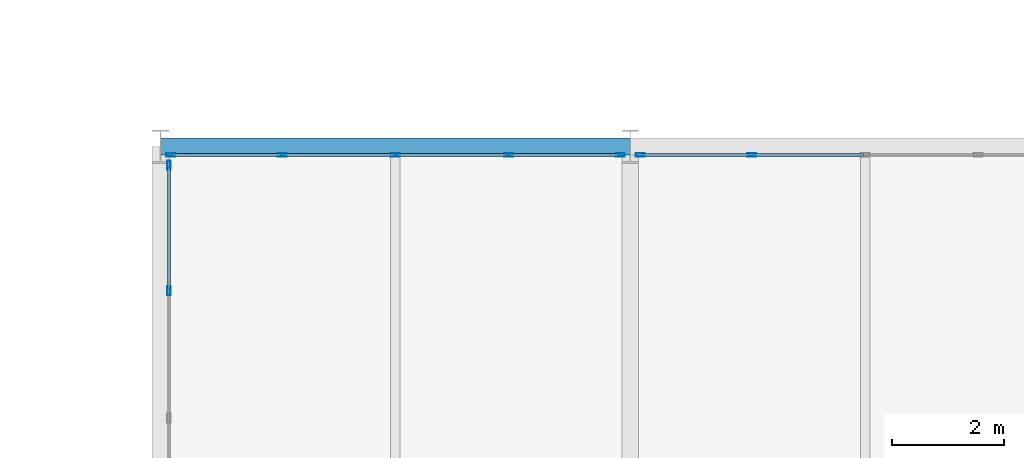
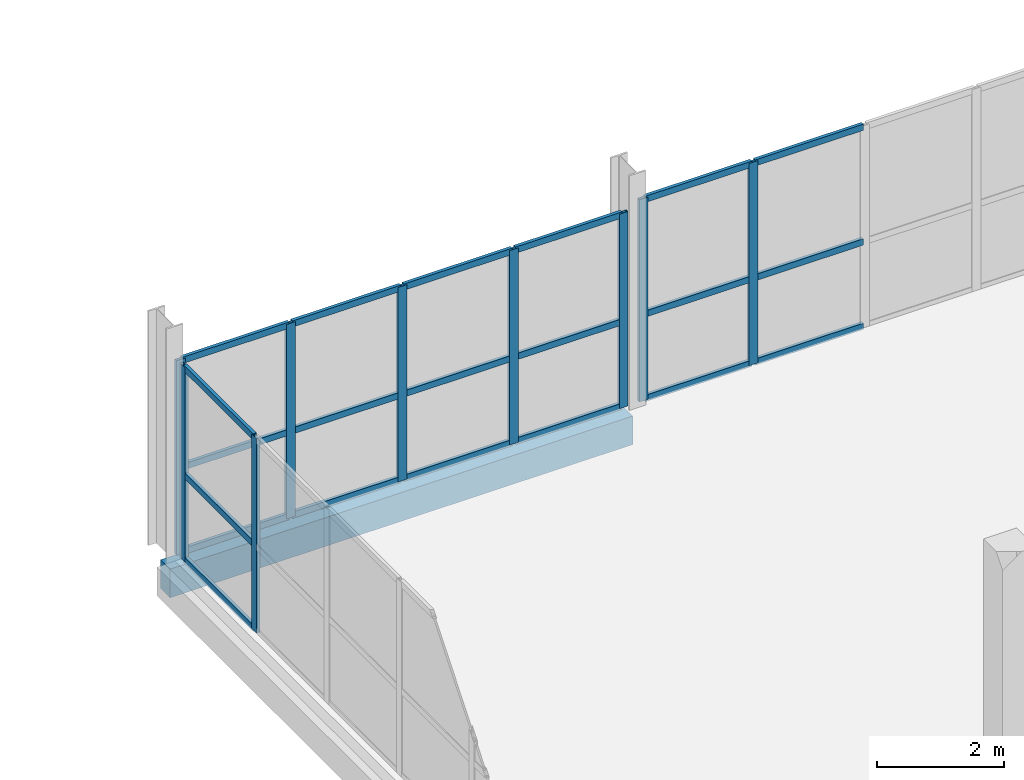
# One storey, part 99 of 130: 30 members, 1 beam, 3 elements without a shape of their own.
"""IFC4 building model written with IfcOpenShell, lengths in metres."""

from ifc_helpers import new_model, si_unit, direction, frame, origin, origin_2d, place, context, subcontext, project, spatial, rectangle, hollow_rectangle, extrude, material, material_profile, profile_set, type_object, element, aggregate, save


model = new_model("IFC4")

# Units and contexts
model_context = context("Model", 3, precision=1e-05, world=origin(), true_north=direction((0.0, 1.0)))
body_context = subcontext(model_context, "Body", "Model", "MODEL_VIEW")
ifc_project = project(units=[si_unit("LENGTHUNIT", "METRE"), si_unit("AREAUNIT", "SQUARE_METRE"), si_unit("VOLUMEUNIT", "CUBIC_METRE"), si_unit("PLANEANGLEUNIT", "RADIAN"), si_unit("MASSUNIT", "GRAM", prefix="KILO")], contexts=[model_context])

# Site, building, storey
site_placement = place(None, origin())
site = spatial("IfcSite", under=ifc_project, at=site_placement, CompositionType="ELEMENT")
building_placement = place(site_placement, origin())
building = spatial("IfcBuilding", under=site, at=building_placement, Name="Veltarok Museum of Natural Sciences", CompositionType="ELEMENT")
storey_placement = place(building_placement, frame((0.0, 0.0, 12.89990234375)))
storey = spatial("IfcBuildingStorey", under=building, at=storey_placement, Name="L02", CompositionType="ELEMENT", Elevation=12.89990234375)

# Curtain wall, members
ifc_material_1 = material(Name="Low-iron triple insulated glass", Category="glass")
curtain_wall_type_1 = type_object("IfcCurtainWallType", Name="Curtain Wall System CW-V5CW-L02-3-1140x373 (CW-V5CW L02 1140x373cm)", PredefinedType="NOTDEFINED", material=ifc_material_1)
curtain_wall_1_placement = place(storey_placement, origin())
curtain_wall_1 = element("IfcCurtainWall", 1, at=curtain_wall_1_placement, inside=storey, type_object=curtain_wall_type_1, Name="Curtain Wall CW-V5CW-L02-3-1140x373 CW-0179", PredefinedType="NOTDEFINED")
ifc_material_2 = material(Name="Thermally broken anodised aluminium", Category="aluminium")
ifc_material_profile_1 = material_profile(ifc_material_2, hollow_rectangle(XDim=0.06005859375, YDim=0.1201171875, WallThickness=0.0048828125, at=origin_2d()), Name="CW TRANSOM 60x120x5")
ifc_profile_set_1 = profile_set([ifc_material_profile_1], Name="Thermally broken anodised aluminium")
member_type_1 = type_object("IfcMemberType", Name="Curtain Wall Horizontal Transom 60x120x5", PredefinedType="USERDEFINED", material=ifc_profile_set_1)
member_1_placement = place(storey_placement, frame((132.550048828125, 69.449951171875, 0.028076171875), z_axis=(0.0, 1.0, 0.0), x_axis=(-1.0, 0.0, 0.0)))
member_1 = element("IfcMember", 2, at=member_1_placement, type_object=member_type_1, Name="CW-V5CW-L02-3-1140x373 transom 5.1", ObjectType="TRANSOM", PredefinedType="USERDEFINED", context=body_context, shape_type="SweptSolid", body=[
    extrude(hollow_rectangle(XDim=0.06005859375, YDim=0.1201171875, WallThickness=0.0048828125, at=origin_2d()), origin(), (0.0, 0.0, 1.0), 2.18994140625),
])
member_2_placement = place(storey_placement, frame((132.550048828125, 69.449951171875, 1.648193359375), z_axis=(0.0, 1.0, 0.0), x_axis=(-1.0, 0.0, 0.0)))
member_2 = element("IfcMember", 3, at=member_2_placement, type_object=member_type_1, Name="CW-V5CW-L02-3-1140x373 transom 5.2", ObjectType="TRANSOM", PredefinedType="USERDEFINED", context=body_context, shape_type="SweptSolid", body=[
    extrude(hollow_rectangle(XDim=0.06005859375, YDim=0.1201171875, WallThickness=0.0048828125, at=origin_2d()), origin(), (0.0, 0.0, 1.0), 2.18994140625),
])
member_3_placement = place(storey_placement, frame((132.550048828125, 69.449951171875, 3.7001953125), z_axis=(0.0, 1.0, 0.0), x_axis=(-1.0, 0.0, 0.0)))
member_3 = element("IfcMember", 4, at=member_3_placement, type_object=member_type_1, Name="CW-V5CW-L02-3-1140x373 transom 5.3", ObjectType="TRANSOM", PredefinedType="USERDEFINED", context=body_context, shape_type="SweptSolid", body=[
    extrude(hollow_rectangle(XDim=0.06005859375, YDim=0.1201171875, WallThickness=0.0048828125, at=origin_2d()), origin(), (0.0, 0.0, 1.0), 2.18994140625),
])

curtain_wall_type_2 = type_object("IfcCurtainWallType", Name="Curtain Wall System CW-V5N-L02-3-810x373 (CW-V5N L02 810x373cm)", PredefinedType="NOTDEFINED", material=ifc_material_1)
curtain_wall_2_placement = place(storey_placement, origin())
curtain_wall_2 = element("IfcCurtainWall", 5, at=curtain_wall_2_placement, inside=storey, type_object=curtain_wall_type_2, Name="Curtain Wall CW-V5N-L02-3-810x373 CW-0203", PredefinedType="NOTDEFINED")
member_4_placement = place(storey_placement, frame((140.590087890625, 71.85009765625, 0.028076171875), z_axis=(-1.0, 0.0, 0.0), x_axis=(0.0, -1.0, 0.0)))
member_4 = element("IfcMember", 6, at=member_4_placement, type_object=member_type_1, Name="CW-V5N-L02-3-810x373 transom 1.1", ObjectType="TRANSOM", PredefinedType="USERDEFINED", context=body_context, shape_type="SweptSolid", body=[
    extrude(hollow_rectangle(XDim=0.06005859375, YDim=0.1201171875, WallThickness=0.0048828125, at=origin_2d()), origin(), (0.0, 0.0, 1.0), 1.93505859375),
])
member_5_placement = place(storey_placement, frame((140.590087890625, 71.85009765625, 1.648193359375), z_axis=(-1.0, 0.0, 0.0), x_axis=(0.0, -1.0, 0.0)))
member_5 = element("IfcMember", 7, at=member_5_placement, type_object=member_type_1, Name="CW-V5N-L02-3-810x373 transom 1.2", ObjectType="TRANSOM", PredefinedType="USERDEFINED", context=body_context, shape_type="SweptSolid", body=[
    extrude(hollow_rectangle(XDim=0.06005859375, YDim=0.1201171875, WallThickness=0.0048828125, at=origin_2d()), origin(), (0.0, 0.0, 1.0), 1.93505859375),
])
member_6_placement = place(storey_placement, frame((140.590087890625, 71.85009765625, 3.7001953125), z_axis=(-1.0, 0.0, 0.0), x_axis=(0.0, -1.0, 0.0)))
member_6 = element("IfcMember", 8, at=member_6_placement, type_object=member_type_1, Name="CW-V5N-L02-3-810x373 transom 1.3", ObjectType="TRANSOM", PredefinedType="USERDEFINED", context=body_context, shape_type="SweptSolid", body=[
    extrude(hollow_rectangle(XDim=0.06005859375, YDim=0.1201171875, WallThickness=0.0048828125, at=origin_2d()), origin(), (0.0, 0.0, 1.0), 1.93505859375),
])
member_7_placement = place(storey_placement, frame((138.594970703125, 71.85009765625, 0.028076171875), z_axis=(-1.0, 0.0, 0.0), x_axis=(0.0, -1.0, 0.0)))
member_7 = element("IfcMember", 9, at=member_7_placement, type_object=member_type_1, Name="CW-V5N-L02-3-810x373 transom 2.1", ObjectType="TRANSOM", PredefinedType="USERDEFINED", context=body_context, shape_type="SweptSolid", body=[
    extrude(hollow_rectangle(XDim=0.06005859375, YDim=0.1201171875, WallThickness=0.0048828125, at=origin_2d()), origin(), (0.0, 0.0, 1.0), 1.965087890625),
])
member_8_placement = place(storey_placement, frame((138.594970703125, 71.85009765625, 1.648193359375), z_axis=(-1.0, 0.0, 0.0), x_axis=(0.0, -1.0, 0.0)))
member_8 = element("IfcMember", 10, at=member_8_placement, type_object=member_type_1, Name="CW-V5N-L02-3-810x373 transom 2.2", ObjectType="TRANSOM", PredefinedType="USERDEFINED", context=body_context, shape_type="SweptSolid", body=[
    extrude(hollow_rectangle(XDim=0.06005859375, YDim=0.1201171875, WallThickness=0.0048828125, at=origin_2d()), origin(), (0.0, 0.0, 1.0), 1.965087890625),
])
member_9_placement = place(storey_placement, frame((138.594970703125, 71.85009765625, 3.7001953125), z_axis=(-1.0, 0.0, 0.0), x_axis=(0.0, -1.0, 0.0)))
member_9 = element("IfcMember", 11, at=member_9_placement, type_object=member_type_1, Name="CW-V5N-L02-3-810x373 transom 2.3", ObjectType="TRANSOM", PredefinedType="USERDEFINED", context=body_context, shape_type="SweptSolid", body=[
    extrude(hollow_rectangle(XDim=0.06005859375, YDim=0.1201171875, WallThickness=0.0048828125, at=origin_2d()), origin(), (0.0, 0.0, 1.0), 1.965087890625),
])
member_10_placement = place(storey_placement, frame((136.570068359375, 71.85009765625, 0.028076171875), z_axis=(-1.0, 0.0, 0.0), x_axis=(0.0, -1.0, 0.0)))
member_10 = element("IfcMember", 12, at=member_10_placement, type_object=member_type_1, Name="CW-V5N-L02-3-810x373 transom 3.1", ObjectType="TRANSOM", PredefinedType="USERDEFINED", context=body_context, shape_type="SweptSolid", body=[
    extrude(hollow_rectangle(XDim=0.06005859375, YDim=0.1201171875, WallThickness=0.0048828125, at=origin_2d()), origin(), (0.0, 0.0, 1.0), 1.965087890625),
])
member_11_placement = place(storey_placement, frame((136.570068359375, 71.85009765625, 1.648193359375), z_axis=(-1.0, 0.0, 0.0), x_axis=(0.0, -1.0, 0.0)))
member_11 = element("IfcMember", 13, at=member_11_placement, type_object=member_type_1, Name="CW-V5N-L02-3-810x373 transom 3.2", ObjectType="TRANSOM", PredefinedType="USERDEFINED", context=body_context, shape_type="SweptSolid", body=[
    extrude(hollow_rectangle(XDim=0.06005859375, YDim=0.1201171875, WallThickness=0.0048828125, at=origin_2d()), origin(), (0.0, 0.0, 1.0), 1.965087890625),
])
member_12_placement = place(storey_placement, frame((136.570068359375, 71.85009765625, 3.7001953125), z_axis=(-1.0, 0.0, 0.0), x_axis=(0.0, -1.0, 0.0)))
member_12 = element("IfcMember", 14, at=member_12_placement, type_object=member_type_1, Name="CW-V5N-L02-3-810x373 transom 3.3", ObjectType="TRANSOM", PredefinedType="USERDEFINED", context=body_context, shape_type="SweptSolid", body=[
    extrude(hollow_rectangle(XDim=0.06005859375, YDim=0.1201171875, WallThickness=0.0048828125, at=origin_2d()), origin(), (0.0, 0.0, 1.0), 1.965087890625),
])
member_13_placement = place(storey_placement, frame((134.544921875, 71.85009765625, 0.028076171875), z_axis=(-1.0, 0.0, 0.0), x_axis=(0.0, -1.0, 0.0)))
member_13 = element("IfcMember", 15, at=member_13_placement, type_object=member_type_1, Name="CW-V5N-L02-3-810x373 transom 4.1", ObjectType="TRANSOM", PredefinedType="USERDEFINED", context=body_context, shape_type="SweptSolid", body=[
    extrude(hollow_rectangle(XDim=0.06005859375, YDim=0.1201171875, WallThickness=0.0048828125, at=origin_2d()), origin(), (0.0, 0.0, 1.0), 1.934814453125),
])
member_14_placement = place(storey_placement, frame((134.544921875, 71.85009765625, 1.648193359375), z_axis=(-1.0, 0.0, 0.0), x_axis=(0.0, -1.0, 0.0)))
member_14 = element("IfcMember", 16, at=member_14_placement, type_object=member_type_1, Name="CW-V5N-L02-3-810x373 transom 4.2", ObjectType="TRANSOM", PredefinedType="USERDEFINED", context=body_context, shape_type="SweptSolid", body=[
    extrude(hollow_rectangle(XDim=0.06005859375, YDim=0.1201171875, WallThickness=0.0048828125, at=origin_2d()), origin(), (0.0, 0.0, 1.0), 1.934814453125),
])
member_15_placement = place(storey_placement, frame((134.544921875, 71.85009765625, 3.7001953125), z_axis=(-1.0, 0.0, 0.0), x_axis=(0.0, -1.0, 0.0)))
member_15 = element("IfcMember", 17, at=member_15_placement, type_object=member_type_1, Name="CW-V5N-L02-3-810x373 transom 4.3", ObjectType="TRANSOM", PredefinedType="USERDEFINED", context=body_context, shape_type="SweptSolid", body=[
    extrude(hollow_rectangle(XDim=0.06005859375, YDim=0.1201171875, WallThickness=0.0048828125, at=origin_2d()), origin(), (0.0, 0.0, 1.0), 1.934814453125),
])

curtain_wall_type_3 = type_object("IfcCurtainWallType", Name="Curtain Wall System CW-V5N-L02-0-810x388 (CW-V5N L02 810x388cm)", PredefinedType="NOTDEFINED", material=ifc_material_1)
curtain_wall_3_placement = place(storey_placement, origin())
curtain_wall_3 = element("IfcCurtainWall", 18, at=curtain_wall_3_placement, inside=storey, type_object=curtain_wall_type_3, Name="Curtain Wall CW-V5N-L02-0-810x388 CW-0204", PredefinedType="NOTDEFINED")
member_16_placement = place(storey_placement, frame((144.969970703125, 71.85009765625, 0.028076171875), z_axis=(-1.0, 0.0, 0.0), x_axis=(0.0, -1.0, 0.0)))
member_16 = element("IfcMember", 19, at=member_16_placement, type_object=member_type_1, Name="CW-V5N-L02-0-810x388 transom 3.1", ObjectType="TRANSOM", PredefinedType="USERDEFINED", context=body_context, shape_type="SweptSolid", body=[
    extrude(hollow_rectangle(XDim=0.06005859375, YDim=0.1201171875, WallThickness=0.0048828125, at=origin_2d()), origin(), (0.0, 0.0, 1.0), 1.965087890625),
])
member_17_placement = place(storey_placement, frame((144.969970703125, 71.85009765625, 1.648193359375), z_axis=(-1.0, 0.0, 0.0), x_axis=(0.0, -1.0, 0.0)))
member_17 = element("IfcMember", 20, at=member_17_placement, type_object=member_type_1, Name="CW-V5N-L02-0-810x388 transom 3.2", ObjectType="TRANSOM", PredefinedType="USERDEFINED", context=body_context, shape_type="SweptSolid", body=[
    extrude(hollow_rectangle(XDim=0.06005859375, YDim=0.1201171875, WallThickness=0.0048828125, at=origin_2d()), origin(), (0.0, 0.0, 1.0), 1.965087890625),
])
member_18_placement = place(storey_placement, frame((144.969970703125, 71.85009765625, 3.85009765625), z_axis=(-1.0, 0.0, 0.0), x_axis=(0.0, -1.0, 0.0)))
member_18 = element("IfcMember", 21, at=member_18_placement, type_object=member_type_1, Name="CW-V5N-L02-0-810x388 transom 3.3", ObjectType="TRANSOM", PredefinedType="USERDEFINED", context=body_context, shape_type="SweptSolid", body=[
    extrude(hollow_rectangle(XDim=0.06005859375, YDim=0.1201171875, WallThickness=0.0048828125, at=origin_2d()), origin(), (0.0, 0.0, 1.0), 1.965087890625),
])
member_19_placement = place(storey_placement, frame((142.945068359375, 71.85009765625, 0.028076171875), z_axis=(-1.0, 0.0, 0.0), x_axis=(0.0, -1.0, 0.0)))
member_19 = element("IfcMember", 22, at=member_19_placement, type_object=member_type_1, Name="CW-V5N-L02-0-810x388 transom 4.1", ObjectType="TRANSOM", PredefinedType="USERDEFINED", context=body_context, shape_type="SweptSolid", body=[
    extrude(hollow_rectangle(XDim=0.06005859375, YDim=0.1201171875, WallThickness=0.0048828125, at=origin_2d()), origin(), (0.0, 0.0, 1.0), 1.93505859375),
])
member_20_placement = place(storey_placement, frame((142.945068359375, 71.85009765625, 1.648193359375), z_axis=(-1.0, 0.0, 0.0), x_axis=(0.0, -1.0, 0.0)))
member_20 = element("IfcMember", 23, at=member_20_placement, type_object=member_type_1, Name="CW-V5N-L02-0-810x388 transom 4.2", ObjectType="TRANSOM", PredefinedType="USERDEFINED", context=body_context, shape_type="SweptSolid", body=[
    extrude(hollow_rectangle(XDim=0.06005859375, YDim=0.1201171875, WallThickness=0.0048828125, at=origin_2d()), origin(), (0.0, 0.0, 1.0), 1.93505859375),
])
member_21_placement = place(storey_placement, frame((142.945068359375, 71.85009765625, 3.85009765625), z_axis=(-1.0, 0.0, 0.0), x_axis=(0.0, -1.0, 0.0)))
member_21 = element("IfcMember", 24, at=member_21_placement, type_object=member_type_1, Name="CW-V5N-L02-0-810x388 transom 4.3", ObjectType="TRANSOM", PredefinedType="USERDEFINED", context=body_context, shape_type="SweptSolid", body=[
    extrude(hollow_rectangle(XDim=0.06005859375, YDim=0.1201171875, WallThickness=0.0048828125, at=origin_2d()), origin(), (0.0, 0.0, 1.0), 1.93505859375),
])

# Member
ifc_material_profile_2 = material_profile(ifc_material_2, hollow_rectangle(XDim=0.06005859375, YDim=0.159912109375, WallThickness=0.0048828125, at=origin_2d()), Name="CW MULLION 60x160x5")
ifc_profile_set_2 = profile_set([ifc_material_profile_2], Name="Thermally broken anodised aluminium")
member_type_2 = type_object("IfcMemberType", Name="Curtain Wall Vertical Mullion 60x160x5", PredefinedType="MULLION", material=ifc_profile_set_2)
member_22_placement = place(storey_placement, frame((132.550048828125, 69.419921875, -0.001953125), z_axis=(0.0, 0.0, 1.0), x_axis=(-1.0, 0.0, 0.0)))
member_22 = element("IfcMember", 25, at=member_22_placement, type_object=member_type_2, Name="CW-V5CW-L02-3-1140x373 mullion 5", PredefinedType="MULLION", context=body_context, shape_type="SweptSolid", body=[
    extrude(hollow_rectangle(XDim=0.06005859375, YDim=0.159912109375, WallThickness=0.0048828125, at=origin_2d()), origin(), (0.0, 0.0, 1.0), 3.73193359375),
])

member_23_placement = place(storey_placement, frame((132.550048828125, 71.669921875, -0.001953125), z_axis=(0.0, 0.0, 1.0), x_axis=(-1.0, 0.0, 0.0)))
member_23 = element("IfcMember", 26, at=member_23_placement, type_object=member_type_2, Name="CW-V5CW-L02-3-1140x373 mullion 6", PredefinedType="MULLION", context=body_context, shape_type="SweptSolid", body=[
    extrude(hollow_rectangle(XDim=0.06005859375, YDim=0.159912109375, WallThickness=0.0048828125, at=origin_2d()), origin(), (0.0, 0.0, 1.0), 3.73193359375),
])

aggregate(curtain_wall_1, [member_22, member_23, member_1, member_2, member_3])

member_24_placement = place(storey_placement, frame((140.6201171875, 71.85009765625, -0.001953125), z_axis=(0.0, 0.0, 1.0), x_axis=(0.0, -1.0, 0.0)))
member_24 = element("IfcMember", 27, at=member_24_placement, type_object=member_type_2, Name="CW-V5N-L02-3-810x373 mullion 1", PredefinedType="MULLION", context=body_context, shape_type="SweptSolid", body=[
    extrude(hollow_rectangle(XDim=0.06005859375, YDim=0.159912109375, WallThickness=0.0048828125, at=origin_2d()), origin(), (0.0, 0.0, 1.0), 3.73193359375),
])

member_25_placement = place(storey_placement, frame((138.625, 71.85009765625, -0.001953125), z_axis=(0.0, 0.0, 1.0), x_axis=(0.0, -1.0, 0.0)))
member_25 = element("IfcMember", 28, at=member_25_placement, type_object=member_type_2, Name="CW-V5N-L02-3-810x373 mullion 2", PredefinedType="MULLION", context=body_context, shape_type="SweptSolid", body=[
    extrude(hollow_rectangle(XDim=0.06005859375, YDim=0.159912109375, WallThickness=0.0048828125, at=origin_2d()), origin(), (0.0, 0.0, 1.0), 3.73193359375),
])

member_26_placement = place(storey_placement, frame((136.60009765625, 71.85009765625, -0.001953125), z_axis=(0.0, 0.0, 1.0), x_axis=(0.0, -1.0, 0.0)))
member_26 = element("IfcMember", 29, at=member_26_placement, type_object=member_type_2, Name="CW-V5N-L02-3-810x373 mullion 3", PredefinedType="MULLION", context=body_context, shape_type="SweptSolid", body=[
    extrude(hollow_rectangle(XDim=0.06005859375, YDim=0.159912109375, WallThickness=0.0048828125, at=origin_2d()), origin(), (0.0, 0.0, 1.0), 3.73193359375),
])

member_27_placement = place(storey_placement, frame((134.574951171875, 71.85009765625, -0.001953125), z_axis=(0.0, 0.0, 1.0), x_axis=(0.0, -1.0, 0.0)))
member_27 = element("IfcMember", 30, at=member_27_placement, type_object=member_type_2, Name="CW-V5N-L02-3-810x373 mullion 4", PredefinedType="MULLION", context=body_context, shape_type="SweptSolid", body=[
    extrude(hollow_rectangle(XDim=0.06005859375, YDim=0.159912109375, WallThickness=0.0048828125, at=origin_2d()), origin(), (0.0, 0.0, 1.0), 3.73193359375),
])

member_28_placement = place(storey_placement, frame((132.580078125, 71.85009765625, -0.001953125), z_axis=(0.0, 0.0, 1.0), x_axis=(0.0, -1.0, 0.0)))
member_28 = element("IfcMember", 31, at=member_28_placement, type_object=member_type_2, Name="CW-V5N-L02-3-810x373 mullion 5", PredefinedType="MULLION", context=body_context, shape_type="SweptSolid", body=[
    extrude(hollow_rectangle(XDim=0.06005859375, YDim=0.159912109375, WallThickness=0.0048828125, at=origin_2d()), origin(), (0.0, 0.0, 1.0), 3.73193359375),
])

aggregate(curtain_wall_2, [member_24, member_25, member_26, member_27, member_28, member_4, member_5, member_6, member_7, member_8, member_9, member_10, member_11, member_12, member_13, member_14, member_15])

member_29_placement = place(storey_placement, frame((142.97509765625, 71.85009765625, -0.001953125), z_axis=(0.0, 0.0, 1.0), x_axis=(0.0, -1.0, 0.0)))
member_29 = element("IfcMember", 32, at=member_29_placement, type_object=member_type_2, Name="CW-V5N-L02-0-810x388 mullion 4", PredefinedType="MULLION", context=body_context, shape_type="SweptSolid", body=[
    extrude(hollow_rectangle(XDim=0.06005859375, YDim=0.159912109375, WallThickness=0.0048828125, at=origin_2d()), origin(), (0.0, 0.0, 1.0), 3.882080078125),
])

member_30_placement = place(storey_placement, frame((140.97998046875, 71.85009765625, -0.001953125), z_axis=(0.0, 0.0, 1.0), x_axis=(0.0, -1.0, 0.0)))
member_30 = element("IfcMember", 33, at=member_30_placement, type_object=member_type_2, Name="CW-V5N-L02-0-810x388 mullion 5", PredefinedType="MULLION", context=body_context, shape_type="SweptSolid", body=[
    extrude(hollow_rectangle(XDim=0.06005859375, YDim=0.159912109375, WallThickness=0.0048828125, at=origin_2d()), origin(), (0.0, 0.0, 1.0), 3.882080078125),
])

aggregate(curtain_wall_3, [member_29, member_30, member_16, member_17, member_18, member_19, member_20, member_21])

# Beam
ifc_material_3 = material(Name="Precast concrete C40/50", Category="concrete")
ifc_material_profile_3 = material_profile(ifc_material_3, rectangle(XDim=0.300048828125, YDim=0.550048828125, at=origin_2d()), Name="RC 300x550")
ifc_profile_set_3 = profile_set([ifc_material_profile_3], Name="Precast concrete C40/50")
beam_type = type_object("IfcBeamType", Name="East Wing Precast Spandrel RC 300x550", PredefinedType="SPANDREL", material=ifc_profile_set_3)
beam_placement = place(storey_placement, frame((132.39990234375, 72.0, -0.52490234375), z_axis=(1.0, 0.0, 0.0), x_axis=(0.0, 1.0, 0.0)))
element("IfcBeam", 34, at=beam_placement, inside=storey, type_object=beam_type, Name="Beam BM-SP02 L02 16-17/H", PredefinedType="SPANDREL", context=body_context, shape_type="SweptSolid", body=[
    extrude(rectangle(XDim=0.300048828125, YDim=0.550048828125, at=origin_2d()), origin(), (0.0, 0.0, 1.0), 8.400146484375),
])

save(model, "model.ifc")
